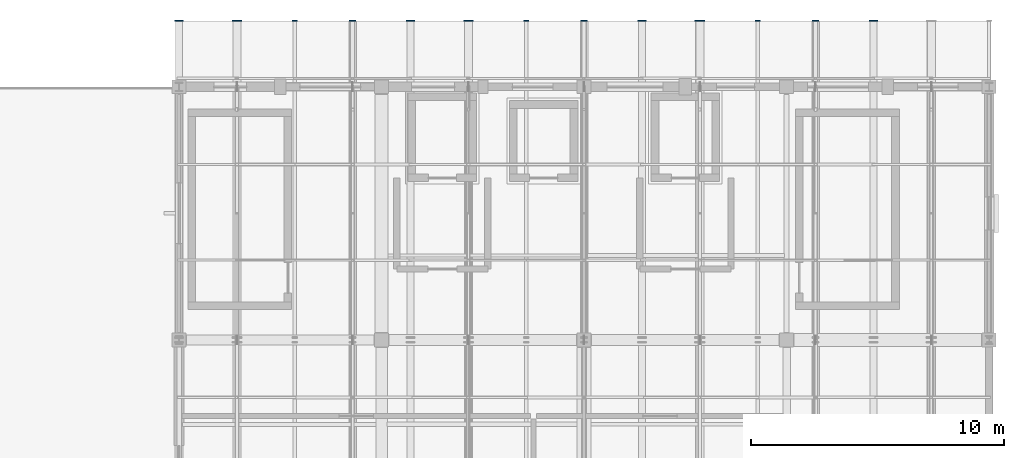
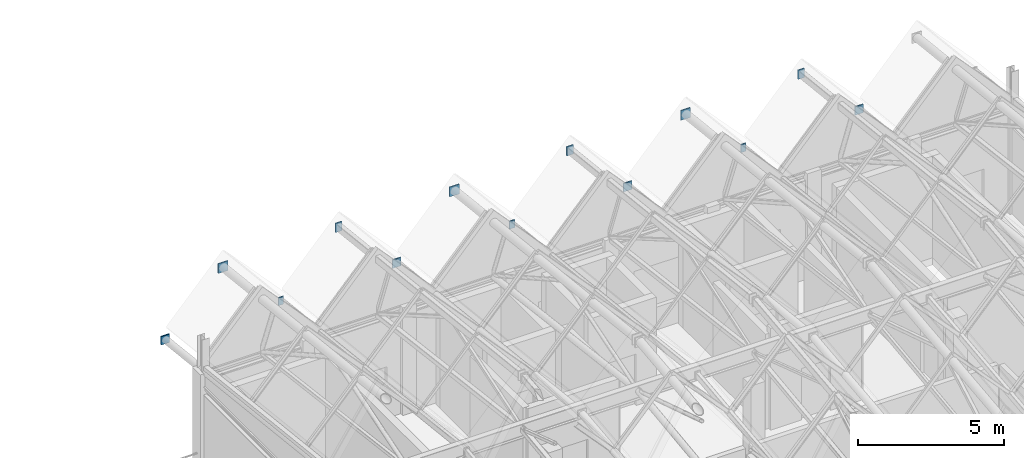
# One storey, part 13 of 15: 13 discrete accessories.
"""IFC4 building model written with IfcOpenShell, lengths in metres."""

from ifc_helpers import new_model, si_unit, direction, frame, origin, origin_2d, place, context, subcontext, project, spatial, rectangle, extrude, material, type_object, element, save


model = new_model("IFC4")

# Units and contexts
model_context = context("Model", 3, precision=1e-05, world=origin(), true_north=direction((0.0, 1.0)))
body_context = subcontext(model_context, "Body", "Model", "MODEL_VIEW")
ifc_project = project(units=[si_unit("LENGTHUNIT", "METRE"), si_unit("AREAUNIT", "SQUARE_METRE"), si_unit("VOLUMEUNIT", "CUBIC_METRE"), si_unit("PLANEANGLEUNIT", "RADIAN"), si_unit("MASSUNIT", "GRAM", prefix="KILO")], contexts=[model_context])

# Site, building, storey
site_placement = place(None, origin())
site = spatial("IfcSite", under=ifc_project, at=site_placement, CompositionType="ELEMENT")
building_placement = place(site_placement, origin())
building = spatial("IfcBuilding", under=site, at=building_placement, Name="Luwemba Playhouse", CompositionType="ELEMENT")
storey_placement = place(building_placement, frame((0.0, 0.0, 22.800048828125)))
storey = spatial("IfcBuildingStorey", under=building, at=storey_placement, Name="L05", CompositionType="ELEMENT", Elevation=22.800048828125)

# Discrete accessories
ifc_material = material(Name="Steel S355", Category="steel")
discrete_accessory_type = type_object("IfcDiscreteAccessoryType", Name="ACC-ENDCAP-S355", PredefinedType="BRACKET", material=ifc_material)
discrete_accessory_1_placement = place(storey_placement, frame((140.0, 117.614990234375, 3.96728515625), z_axis=(0.0, 0.0, 1.0), x_axis=(1.0, 0.0, 0.0)))
element("IfcDiscreteAccessory", 1, at=discrete_accessory_1_placement, inside=storey, type_object=discrete_accessory_type, Name="Welded RHS end cap plate 0500", PredefinedType="BRACKET", context=body_context, shape_type="SweptSolid", body=[
    extrude(rectangle(XDim=0.3330078125, YDim=0.044921875, at=origin_2d()), origin(), (0.0, 0.0, 1.0), 0.35302734375),
])
discrete_accessory_2_placement = place(storey_placement, frame((142.28564453125, 117.614990234375, 6.16552734375), z_axis=(0.0, 0.0, 1.0), x_axis=(1.0, 0.0, 0.0)))
element("IfcDiscreteAccessory", 2, at=discrete_accessory_2_placement, inside=storey, type_object=discrete_accessory_type, Name="Welded RHS end cap plate 0504", PredefinedType="BRACKET", context=body_context, shape_type="SweptSolid", body=[
    extrude(rectangle(XDim=0.384033203125, YDim=0.044921875, at=origin_2d()), origin(), (0.0, 0.0, 1.0), 0.404052734375),
])
discrete_accessory_3_placement = place(storey_placement, frame((144.5712890625, 117.614990234375, 3.990234375), z_axis=(0.0, 0.0, 1.0), x_axis=(1.0, 0.0, 0.0)))
element("IfcDiscreteAccessory", 3, at=discrete_accessory_3_placement, inside=storey, type_object=discrete_accessory_type, Name="Welded RHS end cap plate 0508", PredefinedType="BRACKET", context=body_context, shape_type="SweptSolid", body=[
    extrude(rectangle(XDim=0.2099609375, YDim=0.044921875, at=origin_2d()), origin(), (0.0, 0.0, 1.0), 0.330078125),
])
discrete_accessory_4_placement = place(storey_placement, frame((146.857177734375, 117.614990234375, 6.2568359375), z_axis=(0.0, 0.0, 1.0), x_axis=(1.0, 0.0, 0.0)))
element("IfcDiscreteAccessory", 4, at=discrete_accessory_4_placement, inside=storey, type_object=discrete_accessory_type, Name="Welded RHS end cap plate 0512", PredefinedType="BRACKET", context=body_context, shape_type="SweptSolid", body=[
    extrude(rectangle(XDim=0.260009765625, YDim=0.044921875, at=origin_2d()), origin(), (0.0, 0.0, 1.0), 0.3798828125),
])
discrete_accessory_5_placement = place(storey_placement, frame((149.142822265625, 117.614990234375, 3.96728515625), z_axis=(0.0, 0.0, 1.0), x_axis=(1.0, 0.0, 0.0)))
element("IfcDiscreteAccessory", 5, at=discrete_accessory_5_placement, inside=storey, type_object=discrete_accessory_type, Name="Welded RHS end cap plate 0516", PredefinedType="BRACKET", context=body_context, shape_type="SweptSolid", body=[
    extrude(rectangle(XDim=0.3330078125, YDim=0.044921875, at=origin_2d()), origin(), (0.0, 0.0, 1.0), 0.35302734375),
])
discrete_accessory_6_placement = place(storey_placement, frame((151.4287109375, 117.614990234375, 6.16552734375), z_axis=(0.0, 0.0, 1.0), x_axis=(1.0, 0.0, 0.0)))
element("IfcDiscreteAccessory", 6, at=discrete_accessory_6_placement, inside=storey, type_object=discrete_accessory_type, Name="Welded RHS end cap plate 0520", PredefinedType="BRACKET", context=body_context, shape_type="SweptSolid", body=[
    extrude(rectangle(XDim=0.384033203125, YDim=0.044921875, at=origin_2d()), origin(), (0.0, 0.0, 1.0), 0.404052734375),
])
discrete_accessory_7_placement = place(storey_placement, frame((153.71435546875, 117.614990234375, 3.990234375), z_axis=(0.0, 0.0, 1.0), x_axis=(1.0, 0.0, 0.0)))
element("IfcDiscreteAccessory", 7, at=discrete_accessory_7_placement, inside=storey, type_object=discrete_accessory_type, Name="Welded RHS end cap plate 0524", PredefinedType="BRACKET", context=body_context, shape_type="SweptSolid", body=[
    extrude(rectangle(XDim=0.2099609375, YDim=0.044921875, at=origin_2d()), origin(), (0.0, 0.0, 1.0), 0.330078125),
])
discrete_accessory_8_placement = place(storey_placement, frame((156.0, 117.614990234375, 6.2568359375), z_axis=(0.0, 0.0, 1.0), x_axis=(1.0, 0.0, 0.0)))
element("IfcDiscreteAccessory", 8, at=discrete_accessory_8_placement, inside=storey, type_object=discrete_accessory_type, Name="Welded RHS end cap plate 0528", PredefinedType="BRACKET", context=body_context, shape_type="SweptSolid", body=[
    extrude(rectangle(XDim=0.260009765625, YDim=0.044921875, at=origin_2d()), origin(), (0.0, 0.0, 1.0), 0.3798828125),
])
discrete_accessory_9_placement = place(storey_placement, frame((158.28564453125, 117.614990234375, 3.96728515625), z_axis=(0.0, 0.0, 1.0), x_axis=(1.0, 0.0, 0.0)))
element("IfcDiscreteAccessory", 9, at=discrete_accessory_9_placement, inside=storey, type_object=discrete_accessory_type, Name="Welded RHS end cap plate 0532", PredefinedType="BRACKET", context=body_context, shape_type="SweptSolid", body=[
    extrude(rectangle(XDim=0.3330078125, YDim=0.044921875, at=origin_2d()), origin(), (0.0, 0.0, 1.0), 0.35302734375),
])
discrete_accessory_10_placement = place(storey_placement, frame((160.5712890625, 117.614990234375, 6.16552734375), z_axis=(0.0, 0.0, 1.0), x_axis=(1.0, 0.0, 0.0)))
element("IfcDiscreteAccessory", 10, at=discrete_accessory_10_placement, inside=storey, type_object=discrete_accessory_type, Name="Welded RHS end cap plate 0536", PredefinedType="BRACKET", context=body_context, shape_type="SweptSolid", body=[
    extrude(rectangle(XDim=0.384033203125, YDim=0.044921875, at=origin_2d()), origin(), (0.0, 0.0, 1.0), 0.404052734375),
])
discrete_accessory_11_placement = place(storey_placement, frame((162.857177734375, 117.614990234375, 3.990234375), z_axis=(0.0, 0.0, 1.0), x_axis=(1.0, 0.0, 0.0)))
element("IfcDiscreteAccessory", 11, at=discrete_accessory_11_placement, inside=storey, type_object=discrete_accessory_type, Name="Welded RHS end cap plate 0540", PredefinedType="BRACKET", context=body_context, shape_type="SweptSolid", body=[
    extrude(rectangle(XDim=0.2099609375, YDim=0.044921875, at=origin_2d()), origin(), (0.0, 0.0, 1.0), 0.330078125),
])
discrete_accessory_12_placement = place(storey_placement, frame((165.142822265625, 117.614990234375, 6.2568359375), z_axis=(0.0, 0.0, 1.0), x_axis=(1.0, 0.0, 0.0)))
element("IfcDiscreteAccessory", 12, at=discrete_accessory_12_placement, inside=storey, type_object=discrete_accessory_type, Name="Welded RHS end cap plate 0544", PredefinedType="BRACKET", context=body_context, shape_type="SweptSolid", body=[
    extrude(rectangle(XDim=0.260009765625, YDim=0.044921875, at=origin_2d()), origin(), (0.0, 0.0, 1.0), 0.3798828125),
])
discrete_accessory_13_placement = place(storey_placement, frame((167.4287109375, 117.614990234375, 3.96728515625), z_axis=(0.0, 0.0, 1.0), x_axis=(1.0, 0.0, 0.0)))
element("IfcDiscreteAccessory", 13, at=discrete_accessory_13_placement, inside=storey, type_object=discrete_accessory_type, Name="Welded RHS end cap plate 0548", PredefinedType="BRACKET", context=body_context, shape_type="SweptSolid", body=[
    extrude(rectangle(XDim=0.3330078125, YDim=0.044921875, at=origin_2d()), origin(), (0.0, 0.0, 1.0), 0.35302734375),
])

save(model, "model.ifc")
